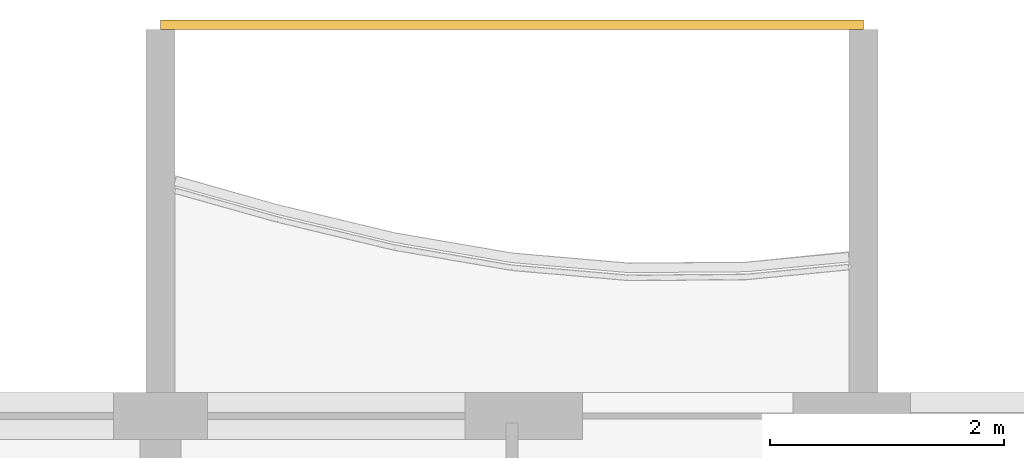
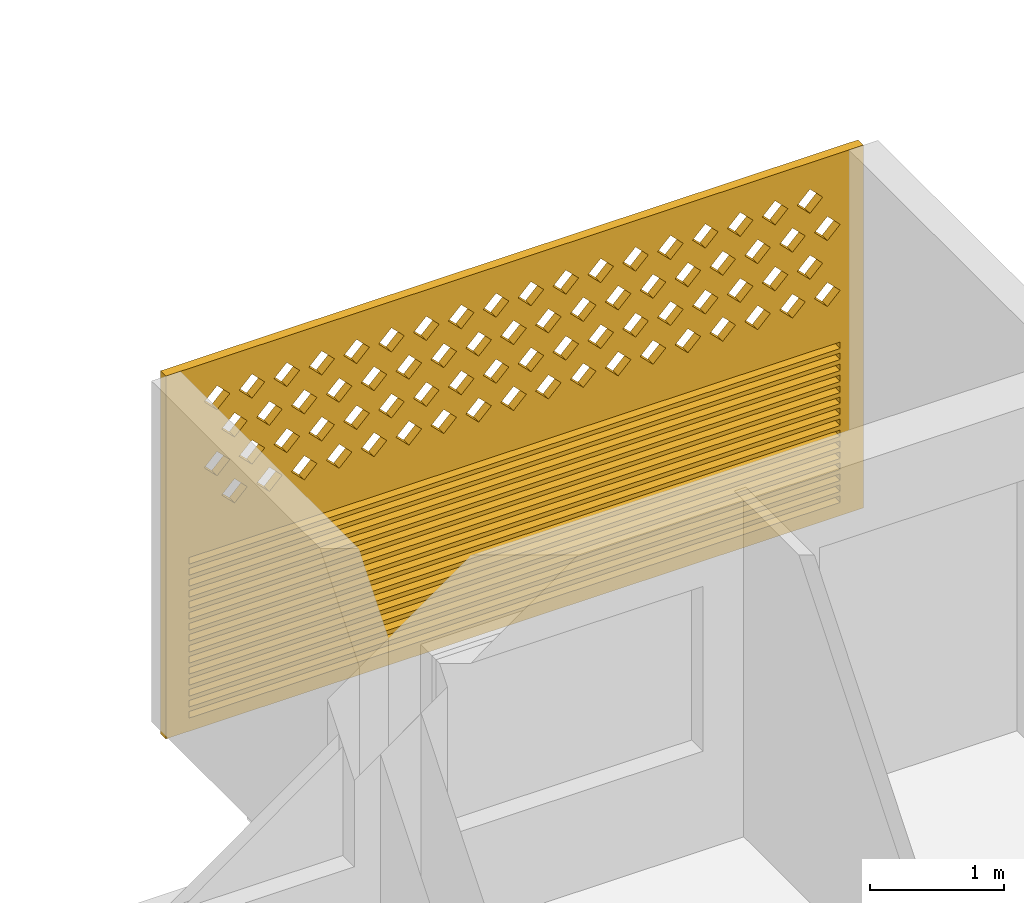
# One storey, part 24 of 27: 1 covering.
"""IFC4 building model written with IfcOpenShell, lengths in metres."""

import ifcopenshell
import ifcopenshell.guid

model = None  # the IFC model being written
_history = None  # IfcOwnerHistory: only IFC2X3 demands one
_inside = {}  # id of a spatial element -> (the spatial element, [elements in it])
_under = {}  # id of a project, library or spatial element -> (it, [spatial elements below it])
_declared = {}  # id of a project -> (the project, [libraries it declares])
_typed = {}  # id of a type object -> (the type object, [elements of that type])
_made_of = {}  # id of a material, layer set ... -> (it, [elements and type objects made of it])


def new_model(schema):
    """Start an empty IFC model of exactly this schema.

    Asked for "IFC4X3", IfcOpenShell would pick the latest addendum, in which some entities
    have other attributes; the version numbers below select the first issue.
    IFC2X3 requires an IfcOwnerHistory on every rooted entity: one is made here for all.
    """
    global model, _history
    if schema == "IFC4X3":
        model = ifcopenshell.file(schema_version=(4, 3, 0, 0))
    else:
        model = ifcopenshell.file(schema=schema)
    _inside.clear()
    _under.clear()
    _declared.clear()
    _typed.clear()
    _made_of.clear()
    _history = None
    if model.schema == "IFC2X3":
        org = make("IfcOrganization", Name="unknown")
        user = make(
            "IfcPersonAndOrganization",
            ThePerson=make("IfcPerson", FamilyName="unknown"),
            TheOrganization=org,
        )
        app = make(
            "IfcApplication",
            ApplicationDeveloper=org,
            Version="unknown",
            ApplicationFullName="unknown",
            ApplicationIdentifier="unknown",
        )
        _history = make(
            "IfcOwnerHistory",
            OwningUser=user,
            OwningApplication=app,
            ChangeAction="ADDED",
            CreationDate=0,
        )
    return model


def make(cls, **values):
    """One entity of the class cls with the attributes given. An attribute that is None is left unset."""
    return model.create_entity(
        cls, **{name: value for name, value in values.items() if value is not None}
    )


def rooted(cls, **values):
    """An entity with a GlobalId (a new one), such as an element, a storey or a relation."""
    return make(cls, GlobalId=ifcopenshell.guid.new(), OwnerHistory=_history, **values)


def si_unit(unit_type, name, prefix=None):
    """IfcSIUnit, for example si_unit("LENGTHUNIT", "METRE", prefix="MILLI")."""
    return make("IfcSIUnit", UnitType=unit_type, Prefix=prefix, Name=name)


def assignment(units):
    """IfcUnitAssignment: the units of a project."""
    return None if units is None else make("IfcUnitAssignment", Units=units)


def point(xyz):
    """IfcCartesianPoint."""
    return None if xyz is None else make("IfcCartesianPoint", Coordinates=xyz)


def direction(xyz):
    """IfcDirection."""
    return None if xyz is None else make("IfcDirection", DirectionRatios=xyz)


def frame(location, z_axis=None, x_axis=None):
    """IfcAxis2Placement3D, a coordinate frame: its origin and axes. An axis left out is left unset."""
    return make(
        "IfcAxis2Placement3D",
        Location=point(location),
        Axis=direction(z_axis),
        RefDirection=direction(x_axis),
    )


def origin():
    """The frame at (0, 0, 0) with its axes left unset."""
    return frame((0.0, 0.0, 0.0))


def place(relative_to, where):
    """IfcLocalPlacement: puts the frame where relative to a parent placement (None: the world)."""
    return make(
        "IfcLocalPlacement", PlacementRelTo=relative_to, RelativePlacement=where
    )


def context(
    kind, dimensions, precision=None, world=None, true_north=None, identifier=None
):
    """IfcGeometricRepresentationContext, for example the 3D "Model" context."""
    return make(
        "IfcGeometricRepresentationContext",
        ContextIdentifier=identifier,
        ContextType=kind,
        CoordinateSpaceDimension=dimensions,
        Precision=precision,
        WorldCoordinateSystem=world,
        TrueNorth=true_north,
    )


def subcontext(parent, identifier, kind, view, scale=None):
    """IfcGeometricRepresentationSubContext, for example "Body" below "Model"."""
    return make(
        "IfcGeometricRepresentationSubContext",
        ContextIdentifier=identifier,
        ContextType=kind,
        ParentContext=parent,
        TargetScale=scale,
        TargetView=view,
    )


def project(units=None, contexts=None):
    """IfcProject with its units and contexts."""
    return rooted(
        "IfcProject",
        Name="project",
        RepresentationContexts=contexts,
        UnitsInContext=assignment(units),
    )


def spatial(cls, under=None, at=None, **own):
    """A site, building, storey or space (cls), placed at a placement, below another one or the project."""
    s = rooted(cls, ObjectPlacement=at, **own)
    if under is not None:
        _under.setdefault(under.id(), (under, []))[1].append(s)
    return s


def polyline(points):
    """IfcPolyline through the points."""
    return make("IfcPolyline", Points=[point(p) for p in points])


def outline(outer, holes=None, kind="AREA"):
    """IfcArbitraryClosedProfileDef: a profile drawn as a closed curve; with holes, ...WithVoids."""
    if holes is None:
        return make("IfcArbitraryClosedProfileDef", ProfileType=kind, OuterCurve=outer)
    return make(
        "IfcArbitraryProfileDefWithVoids",
        ProfileType=kind,
        OuterCurve=outer,
        InnerCurves=holes,
    )


def extrude(swept, where, along, depth):
    """IfcExtrudedAreaSolid: the profile swept, set in the frame where, extruded along a direction by depth."""
    return make(
        "IfcExtrudedAreaSolid",
        SweptArea=swept,
        Position=where,
        ExtrudedDirection=direction(along),
        Depth=depth,
    )


def shape(context_of_items, identifier, shape_type, items):
    """IfcShapeRepresentation: the items that make up one representation, for example the "Body"."""
    return make(
        "IfcShapeRepresentation",
        ContextOfItems=context_of_items,
        RepresentationIdentifier=identifier,
        RepresentationType=shape_type,
        Items=items,
    )


def source(mapping_origin, context_of_items, identifier, shape_type, items):
    """IfcRepresentationMap: a shape defined once, which mapped items show again and again."""
    return make(
        "IfcRepresentationMap",
        MappingOrigin=mapping_origin,
        MappedRepresentation=shape(context_of_items, identifier, shape_type, items),
    )


def transform(
    local_origin,
    x_axis=None,
    y_axis=None,
    z_axis=None,
    scale=None,
    scale2=None,
    scale3=None,
    uniform=True,
):
    """IfcCartesianTransformationOperator3D, or its non-uniform kind. x_axis, y_axis, z_axis: its Axis1, 2, 3."""
    if uniform:
        return make(
            "IfcCartesianTransformationOperator3D",
            Axis1=direction(x_axis),
            Axis2=direction(y_axis),
            LocalOrigin=point(local_origin),
            Scale=scale,
            Axis3=direction(z_axis),
        )
    return make(
        "IfcCartesianTransformationOperator3DnonUniform",
        Axis1=direction(x_axis),
        Axis2=direction(y_axis),
        LocalOrigin=point(local_origin),
        Scale=scale,
        Axis3=direction(z_axis),
        Scale2=scale2,
        Scale3=scale3,
    )


def mapped(mapping_source, mapping_target):
    """IfcMappedItem: shows the shape of a source again, moved by a transform."""
    return make(
        "IfcMappedItem", MappingSource=mapping_source, MappingTarget=mapping_target
    )


def material(Name=None, Category=None):
    """IfcMaterial."""
    return make("IfcMaterial", Name=Name, Category=Category)


def material_profile(
    of_material, cross_section, Name=None, Category=None, Priority=None
):
    """IfcMaterialProfile: a cross section and its material."""
    return make(
        "IfcMaterialProfile",
        Name=Name,
        Material=of_material,
        Profile=cross_section,
        Priority=Priority,
        Category=Category,
    )


def profile_set(profiles, Name=None, composite=None):
    """IfcMaterialProfileSet."""
    return make(
        "IfcMaterialProfileSet",
        Name=Name,
        MaterialProfiles=profiles,
        CompositeProfile=composite,
    )


def made_of(thing, what):
    """Note that an element or type object is made of a material, layer set ...; save() writes the relation."""
    if what is not None:
        _made_of.setdefault(what.id(), (what, []))[1].append(thing)
    return thing


def type_object(cls, material=None, **own):
    """A type object (cls), such as IfcWallType, which elements share."""
    return made_of(rooted(cls, **own), material)


def element(
    cls,
    number,
    at=None,
    inside=None,
    cuts=None,
    type_object=None,
    material=None,
    context=None,
    identifier="Body",
    shape_type=None,
    held_by="IfcProductDefinitionShape",
    body=None,
    shapes=None,
    **own,
):
    """One element of the class cls, such as IfcWall. Its Tag is "e" and its number.

    at: its placement. inside: the storey or other place that contains it. cuts: it is an
    opening in that element (IfcRelVoidsElement). A single representation is given by context,
    identifier, shape_type and body (its items); several are given by shapes. held_by: the class
    of the entity that holds the representations. save() writes the other relations.
    """
    e = rooted(cls, Tag="e%d" % number, ObjectPlacement=at, **own)
    if body is not None:
        shapes = [shape(context, identifier, shape_type, body)]
    if shapes is not None:
        e.Representation = make(held_by, Representations=shapes)
    if inside is not None:
        _inside.setdefault(inside.id(), (inside, []))[1].append(e)
    if cuts is not None:
        rooted(
            "IfcRelVoidsElement", RelatingBuildingElement=cuts, RelatedOpeningElement=e
        )
    if type_object is not None:
        _typed.setdefault(type_object.id(), (type_object, []))[1].append(e)
    return made_of(e, material)


def aggregate(whole, parts):
    """IfcRelAggregates: a whole, such as a stair, and the parts it consists of."""
    return rooted("IfcRelAggregates", RelatingObject=whole, RelatedObjects=parts)


def save(model, path):
    """Write the relations noted so far, then the file.

    IfcRelAggregates (storeys below a building ...), IfcRelContainedInSpatialStructure (elements
    in a storey), IfcRelDefinesByType, IfcRelAssociatesMaterial and IfcRelDeclares: one each for
    every whole, place, type object, material and project.
    """
    for whole, parts in _under.values():
        aggregate(whole, parts)
    for where, things in _inside.values():
        rooted(
            "IfcRelContainedInSpatialStructure",
            RelatedElements=things,
            RelatingStructure=where,
        )
    for kind, things in _typed.values():
        rooted("IfcRelDefinesByType", RelatedObjects=things, RelatingType=kind)
    for what, things in _made_of.values():
        rooted("IfcRelAssociatesMaterial", RelatedObjects=things, RelatingMaterial=what)
    for by, libraries in _declared.values():
        rooted("IfcRelDeclares", RelatingContext=by, RelatedDefinitions=libraries)
    model.write(path)


model = new_model("IFC4")

# Units and contexts
model_context = context("Model", 3, precision=1e-05, world=origin(), true_north=direction((0.0, 1.0)))
body_context = subcontext(model_context, "Body", "Model", "MODEL_VIEW")
ifc_project = project(units=[si_unit("LENGTHUNIT", "METRE"), si_unit("AREAUNIT", "SQUARE_METRE"), si_unit("VOLUMEUNIT", "CUBIC_METRE"), si_unit("PLANEANGLEUNIT", "RADIAN"), si_unit("MASSUNIT", "GRAM", prefix="KILO")], contexts=[model_context])

# Site, building, storey
site_placement = place(None, origin())
site = spatial("IfcSite", under=ifc_project, at=site_placement, CompositionType="ELEMENT")
building_placement = place(site_placement, origin())
building = spatial("IfcBuilding", under=site, at=building_placement, Name="Poui Terraces", CompositionType="ELEMENT")
storey_placement = place(building_placement, frame((0.0, 0.0, 76.199951171875)))
storey = spatial("IfcBuildingStorey", under=building, at=storey_placement, Name="L20", CompositionType="ELEMENT", Elevation=76.199951171875)

# Covering
ifc_material = material(Name="Terracotta screen", Category="masonry")
ifc_material_profile = material_profile(ifc_material, outline(polyline([(-3.0, -1.64990234375), (3.0, -1.64990234375), (3.0, 1.64990234375), (-3.0, 1.64990234375), (-3.0, -1.64990234375)]), holes=[polyline([(-2.800048828125, 0.39990234375), (-2.68994140625, 0.2900390625), (-2.580078125, 0.39990234375), (-2.68994140625, 0.510009765625), (-2.800048828125, 0.39990234375)]), polyline([(-2.5, 0.39990234375), (-2.389892578125, 0.2900390625), (-2.280029296875, 0.39990234375), (-2.389892578125, 0.510009765625), (-2.5, 0.39990234375)]), polyline([(-2.199951171875, 0.39990234375), (-2.090087890625, 0.2900390625), (-1.97998046875, 0.39990234375), (-2.090087890625, 0.510009765625), (-2.199951171875, 0.39990234375)]), polyline([(-1.89990234375, 0.39990234375), (-1.7900390625, 0.2900390625), (-1.679931640625, 0.39990234375), (-1.7900390625, 0.510009765625), (-1.89990234375, 0.39990234375)]), polyline([(-1.60009765625, 0.39990234375), (-1.489990234375, 0.2900390625), (-1.3798828125, 0.39990234375), (-1.489990234375, 0.510009765625), (-1.60009765625, 0.39990234375)]), polyline([(-1.300048828125, 0.39990234375), (-1.18994140625, 0.2900390625), (-1.080078125, 0.39990234375), (-1.18994140625, 0.510009765625), (-1.300048828125, 0.39990234375)]), polyline([(-1.0, 0.39990234375), (-0.889892578125, 0.2900390625), (-0.780029296875, 0.39990234375), (-0.889892578125, 0.510009765625), (-1.0, 0.39990234375)]), polyline([(-0.699951171875, 0.39990234375), (-0.590087890625, 0.2900390625), (-0.47998046875, 0.39990234375), (-0.590087890625, 0.510009765625), (-0.699951171875, 0.39990234375)]), polyline([(-0.39990234375, 0.39990234375), (-0.2900390625, 0.2900390625), (-0.179931640625, 0.39990234375), (-0.2900390625, 0.510009765625), (-0.39990234375, 0.39990234375)]), polyline([(-0.10009765625, 0.39990234375), (0.010009765625, 0.2900390625), (0.1201171875, 0.39990234375), (0.010009765625, 0.510009765625), (-0.10009765625, 0.39990234375)]), polyline([(0.199951171875, 0.39990234375), (0.31005859375, 0.2900390625), (0.419921875, 0.39990234375), (0.31005859375, 0.510009765625), (0.199951171875, 0.39990234375)]), polyline([(0.5, 0.39990234375), (0.610107421875, 0.2900390625), (0.719970703125, 0.39990234375), (0.610107421875, 0.510009765625), (0.5, 0.39990234375)]), polyline([(0.800048828125, 0.39990234375), (0.909912109375, 0.2900390625), (1.02001953125, 0.39990234375), (0.909912109375, 0.510009765625), (0.800048828125, 0.39990234375)]), polyline([(1.10009765625, 0.39990234375), (1.2099609375, 0.2900390625), (1.320068359375, 0.39990234375), (1.2099609375, 0.510009765625), (1.10009765625, 0.39990234375)]), polyline([(1.39990234375, 0.39990234375), (1.510009765625, 0.2900390625), (1.6201171875, 0.39990234375), (1.510009765625, 0.510009765625), (1.39990234375, 0.39990234375)]), polyline([(1.699951171875, 0.39990234375), (1.81005859375, 0.2900390625), (1.919921875, 0.39990234375), (1.81005859375, 0.510009765625), (1.699951171875, 0.39990234375)]), polyline([(2.0, 0.39990234375), (2.110107421875, 0.2900390625), (2.219970703125, 0.39990234375), (2.110107421875, 0.510009765625), (2.0, 0.39990234375)]), polyline([(2.300048828125, 0.39990234375), (2.409912109375, 0.2900390625), (2.52001953125, 0.39990234375), (2.409912109375, 0.510009765625), (2.300048828125, 0.39990234375)]), polyline([(-2.64990234375, 0.699951171875), (-2.5400390625, 0.590087890625), (-2.429931640625, 0.699951171875), (-2.5400390625, 0.81005859375), (-2.64990234375, 0.699951171875)]), polyline([(-2.35009765625, 0.699951171875), (-2.239990234375, 0.590087890625), (-2.1298828125, 0.699951171875), (-2.239990234375, 0.81005859375), (-2.35009765625, 0.699951171875)]), polyline([(-2.050048828125, 0.699951171875), (-1.93994140625, 0.590087890625), (-1.830078125, 0.699951171875), (-1.93994140625, 0.81005859375), (-2.050048828125, 0.699951171875)]), polyline([(-1.75, 0.699951171875), (-1.639892578125, 0.590087890625), (-1.530029296875, 0.699951171875), (-1.639892578125, 0.81005859375), (-1.75, 0.699951171875)]), polyline([(-1.449951171875, 0.699951171875), (-1.340087890625, 0.590087890625), (-1.22998046875, 0.699951171875), (-1.340087890625, 0.81005859375), (-1.449951171875, 0.699951171875)]), polyline([(-1.14990234375, 0.699951171875), (-1.0400390625, 0.590087890625), (-0.929931640625, 0.699951171875), (-1.0400390625, 0.81005859375), (-1.14990234375, 0.699951171875)]), polyline([(-0.85009765625, 0.699951171875), (-0.739990234375, 0.590087890625), (-0.6298828125, 0.699951171875), (-0.739990234375, 0.81005859375), (-0.85009765625, 0.699951171875)]), polyline([(-0.550048828125, 0.699951171875), (-0.43994140625, 0.590087890625), (-0.330078125, 0.699951171875), (-0.43994140625, 0.81005859375), (-0.550048828125, 0.699951171875)]), polyline([(-0.25, 0.699951171875), (-0.139892578125, 0.590087890625), (-0.030029296875, 0.699951171875), (-0.139892578125, 0.81005859375), (-0.25, 0.699951171875)]), polyline([(0.050048828125, 0.699951171875), (0.159912109375, 0.590087890625), (0.27001953125, 0.699951171875), (0.159912109375, 0.81005859375), (0.050048828125, 0.699951171875)]), polyline([(0.35009765625, 0.699951171875), (0.4599609375, 0.590087890625), (0.570068359375, 0.699951171875), (0.4599609375, 0.81005859375), (0.35009765625, 0.699951171875)]), polyline([(0.64990234375, 0.699951171875), (0.760009765625, 0.590087890625), (0.8701171875, 0.699951171875), (0.760009765625, 0.81005859375), (0.64990234375, 0.699951171875)]), polyline([(0.949951171875, 0.699951171875), (1.06005859375, 0.590087890625), (1.169921875, 0.699951171875), (1.06005859375, 0.81005859375), (0.949951171875, 0.699951171875)]), polyline([(1.25, 0.699951171875), (1.360107421875, 0.590087890625), (1.469970703125, 0.699951171875), (1.360107421875, 0.81005859375), (1.25, 0.699951171875)]), polyline([(1.550048828125, 0.699951171875), (1.659912109375, 0.590087890625), (1.77001953125, 0.699951171875), (1.659912109375, 0.81005859375), (1.550048828125, 0.699951171875)]), polyline([(1.85009765625, 0.699951171875), (1.9599609375, 0.590087890625), (2.070068359375, 0.699951171875), (1.9599609375, 0.81005859375), (1.85009765625, 0.699951171875)]), polyline([(2.14990234375, 0.699951171875), (2.260009765625, 0.590087890625), (2.3701171875, 0.699951171875), (2.260009765625, 0.81005859375), (2.14990234375, 0.699951171875)]), polyline([(2.449951171875, 0.699951171875), (2.56005859375, 0.590087890625), (2.669921875, 0.699951171875), (2.56005859375, 0.81005859375), (2.449951171875, 0.699951171875)]), polyline([(-2.800048828125, 1.0), (-2.68994140625, 0.889892578125), (-2.580078125, 1.0), (-2.68994140625, 1.110107421875), (-2.800048828125, 1.0)]), polyline([(-2.5, 1.0), (-2.389892578125, 0.889892578125), (-2.280029296875, 1.0), (-2.389892578125, 1.110107421875), (-2.5, 1.0)]), polyline([(-2.199951171875, 1.0), (-2.090087890625, 0.889892578125), (-1.97998046875, 1.0), (-2.090087890625, 1.110107421875), (-2.199951171875, 1.0)]), polyline([(-1.89990234375, 1.0), (-1.7900390625, 0.889892578125), (-1.679931640625, 1.0), (-1.7900390625, 1.110107421875), (-1.89990234375, 1.0)]), polyline([(-1.60009765625, 1.0), (-1.489990234375, 0.889892578125), (-1.3798828125, 1.0), (-1.489990234375, 1.110107421875), (-1.60009765625, 1.0)]), polyline([(-1.300048828125, 1.0), (-1.18994140625, 0.889892578125), (-1.080078125, 1.0), (-1.18994140625, 1.110107421875), (-1.300048828125, 1.0)]), polyline([(-1.0, 1.0), (-0.889892578125, 0.889892578125), (-0.780029296875, 1.0), (-0.889892578125, 1.110107421875), (-1.0, 1.0)]), polyline([(-0.699951171875, 1.0), (-0.590087890625, 0.889892578125), (-0.47998046875, 1.0), (-0.590087890625, 1.110107421875), (-0.699951171875, 1.0)]), polyline([(-0.39990234375, 1.0), (-0.2900390625, 0.889892578125), (-0.179931640625, 1.0), (-0.2900390625, 1.110107421875), (-0.39990234375, 1.0)]), polyline([(-0.10009765625, 1.0), (0.010009765625, 0.889892578125), (0.1201171875, 1.0), (0.010009765625, 1.110107421875), (-0.10009765625, 1.0)]), polyline([(0.199951171875, 1.0), (0.31005859375, 0.889892578125), (0.419921875, 1.0), (0.31005859375, 1.110107421875), (0.199951171875, 1.0)]), polyline([(0.5, 1.0), (0.610107421875, 0.889892578125), (0.719970703125, 1.0), (0.610107421875, 1.110107421875), (0.5, 1.0)]), polyline([(0.800048828125, 1.0), (0.909912109375, 0.889892578125), (1.02001953125, 1.0), (0.909912109375, 1.110107421875), (0.800048828125, 1.0)]), polyline([(1.10009765625, 1.0), (1.2099609375, 0.889892578125), (1.320068359375, 1.0), (1.2099609375, 1.110107421875), (1.10009765625, 1.0)]), polyline([(1.39990234375, 1.0), (1.510009765625, 0.889892578125), (1.6201171875, 1.0), (1.510009765625, 1.110107421875), (1.39990234375, 1.0)]), polyline([(1.699951171875, 1.0), (1.81005859375, 0.889892578125), (1.919921875, 1.0), (1.81005859375, 1.110107421875), (1.699951171875, 1.0)]), polyline([(2.0, 1.0), (2.110107421875, 0.889892578125), (2.219970703125, 1.0), (2.110107421875, 1.110107421875), (2.0, 1.0)]), polyline([(2.300048828125, 1.0), (2.409912109375, 0.889892578125), (2.52001953125, 1.0), (2.409912109375, 1.110107421875), (2.300048828125, 1.0)]), polyline([(-2.64990234375, 1.300048828125), (-2.5400390625, 1.18994140625), (-2.429931640625, 1.300048828125), (-2.5400390625, 1.409912109375), (-2.64990234375, 1.300048828125)]), polyline([(-2.35009765625, 1.300048828125), (-2.239990234375, 1.18994140625), (-2.1298828125, 1.300048828125), (-2.239990234375, 1.409912109375), (-2.35009765625, 1.300048828125)]), polyline([(-2.050048828125, 1.300048828125), (-1.93994140625, 1.18994140625), (-1.830078125, 1.300048828125), (-1.93994140625, 1.409912109375), (-2.050048828125, 1.300048828125)]), polyline([(-1.75, 1.300048828125), (-1.639892578125, 1.18994140625), (-1.530029296875, 1.300048828125), (-1.639892578125, 1.409912109375), (-1.75, 1.300048828125)]), polyline([(-1.449951171875, 1.300048828125), (-1.340087890625, 1.18994140625), (-1.22998046875, 1.300048828125), (-1.340087890625, 1.409912109375), (-1.449951171875, 1.300048828125)]), polyline([(-1.14990234375, 1.300048828125), (-1.0400390625, 1.18994140625), (-0.929931640625, 1.300048828125), (-1.0400390625, 1.409912109375), (-1.14990234375, 1.300048828125)]), polyline([(-0.85009765625, 1.300048828125), (-0.739990234375, 1.18994140625), (-0.6298828125, 1.300048828125), (-0.739990234375, 1.409912109375), (-0.85009765625, 1.300048828125)]), polyline([(-0.550048828125, 1.300048828125), (-0.43994140625, 1.18994140625), (-0.330078125, 1.300048828125), (-0.43994140625, 1.409912109375), (-0.550048828125, 1.300048828125)]), polyline([(-0.25, 1.300048828125), (-0.139892578125, 1.18994140625), (-0.030029296875, 1.300048828125), (-0.139892578125, 1.409912109375), (-0.25, 1.300048828125)]), polyline([(0.050048828125, 1.300048828125), (0.159912109375, 1.18994140625), (0.27001953125, 1.300048828125), (0.159912109375, 1.409912109375), (0.050048828125, 1.300048828125)]), polyline([(0.35009765625, 1.300048828125), (0.4599609375, 1.18994140625), (0.570068359375, 1.300048828125), (0.4599609375, 1.409912109375), (0.35009765625, 1.300048828125)]), polyline([(0.64990234375, 1.300048828125), (0.760009765625, 1.18994140625), (0.8701171875, 1.300048828125), (0.760009765625, 1.409912109375), (0.64990234375, 1.300048828125)]), polyline([(0.949951171875, 1.300048828125), (1.06005859375, 1.18994140625), (1.169921875, 1.300048828125), (1.06005859375, 1.409912109375), (0.949951171875, 1.300048828125)]), polyline([(1.25, 1.300048828125), (1.360107421875, 1.18994140625), (1.469970703125, 1.300048828125), (1.360107421875, 1.409912109375), (1.25, 1.300048828125)]), polyline([(1.550048828125, 1.300048828125), (1.659912109375, 1.18994140625), (1.77001953125, 1.300048828125), (1.659912109375, 1.409912109375), (1.550048828125, 1.300048828125)]), polyline([(1.85009765625, 1.300048828125), (1.9599609375, 1.18994140625), (2.070068359375, 1.300048828125), (1.9599609375, 1.409912109375), (1.85009765625, 1.300048828125)]), polyline([(2.14990234375, 1.300048828125), (2.260009765625, 1.18994140625), (2.3701171875, 1.300048828125), (2.260009765625, 1.409912109375), (2.14990234375, 1.300048828125)]), polyline([(2.449951171875, 1.300048828125), (2.56005859375, 1.18994140625), (2.669921875, 1.300048828125), (2.56005859375, 1.409912109375), (2.449951171875, 1.300048828125)]), polyline([(-2.800048828125, -1.530029296875), (2.800048828125, -1.530029296875), (2.800048828125, -1.469970703125), (-2.800048828125, -1.469970703125), (-2.800048828125, -1.530029296875)]), polyline([(-2.800048828125, -1.429931640625), (2.800048828125, -1.429931640625), (2.800048828125, -1.3701171875), (-2.800048828125, -1.3701171875), (-2.800048828125, -1.429931640625)]), polyline([(-2.800048828125, -1.330078125), (2.800048828125, -1.330078125), (2.800048828125, -1.27001953125), (-2.800048828125, -1.27001953125), (-2.800048828125, -1.330078125)]), polyline([(-2.800048828125, -1.22998046875), (2.800048828125, -1.22998046875), (2.800048828125, -1.169921875), (-2.800048828125, -1.169921875), (-2.800048828125, -1.22998046875)]), polyline([(-2.800048828125, -1.1298828125), (2.800048828125, -1.1298828125), (2.800048828125, -1.070068359375), (-2.800048828125, -1.070068359375), (-2.800048828125, -1.1298828125)]), polyline([(-2.800048828125, -1.030029296875), (2.800048828125, -1.030029296875), (2.800048828125, -0.969970703125), (-2.800048828125, -0.969970703125), (-2.800048828125, -1.030029296875)]), polyline([(-2.800048828125, -0.929931640625), (2.800048828125, -0.929931640625), (2.800048828125, -0.8701171875), (-2.800048828125, -0.8701171875), (-2.800048828125, -0.929931640625)]), polyline([(-2.800048828125, -0.830078125), (2.800048828125, -0.830078125), (2.800048828125, -0.77001953125), (-2.800048828125, -0.77001953125), (-2.800048828125, -0.830078125)]), polyline([(-2.800048828125, -0.72998046875), (2.800048828125, -0.72998046875), (2.800048828125, -0.669921875), (-2.800048828125, -0.669921875), (-2.800048828125, -0.72998046875)]), polyline([(-2.800048828125, -0.6298828125), (2.800048828125, -0.6298828125), (2.800048828125, -0.570068359375), (-2.800048828125, -0.570068359375), (-2.800048828125, -0.6298828125)]), polyline([(-2.800048828125, -0.530029296875), (2.800048828125, -0.530029296875), (2.800048828125, -0.469970703125), (-2.800048828125, -0.469970703125), (-2.800048828125, -0.530029296875)]), polyline([(-2.800048828125, -0.429931640625), (2.800048828125, -0.429931640625), (2.800048828125, -0.3701171875), (-2.800048828125, -0.3701171875), (-2.800048828125, -0.429931640625)]), polyline([(-2.800048828125, -0.330078125), (2.800048828125, -0.330078125), (2.800048828125, -0.27001953125), (-2.800048828125, -0.27001953125), (-2.800048828125, -0.330078125)]), polyline([(-2.800048828125, -0.22998046875), (2.800048828125, -0.22998046875), (2.800048828125, -0.169921875), (-2.800048828125, -0.169921875), (-2.800048828125, -0.22998046875)]), polyline([(-2.800048828125, -0.1298828125), (2.800048828125, -0.1298828125), (2.800048828125, -0.070068359375), (-2.800048828125, -0.070068359375), (-2.800048828125, -0.1298828125)])]), Name="TERRACOTTA SCREEN AND JALOUSIE LOUVRE 6000X3300")
ifc_profile_set = profile_set([ifc_material_profile], Name="Terracotta screen")
covering_type = type_object("IfcCoveringType", Name="TERRACOTTA SCREEN AND JALOUSIE LOUVRE 6000X3300", PredefinedType="CLADDING", material=ifc_profile_set)
shared_shape = source(origin(), body_context, "Body", "SweptSolid", [
    extrude(outline(polyline([(-3.0, -1.64990234375), (3.0, -1.64990234375), (3.0, 1.64990234375), (-3.0, 1.64990234375), (-3.0, -1.64990234375)]), holes=[polyline([(-2.800048828125, 0.39990234375), (-2.68994140625, 0.2900390625), (-2.580078125, 0.39990234375), (-2.68994140625, 0.510009765625), (-2.800048828125, 0.39990234375)]), polyline([(-2.5, 0.39990234375), (-2.389892578125, 0.2900390625), (-2.280029296875, 0.39990234375), (-2.389892578125, 0.510009765625), (-2.5, 0.39990234375)]), polyline([(-2.199951171875, 0.39990234375), (-2.090087890625, 0.2900390625), (-1.97998046875, 0.39990234375), (-2.090087890625, 0.510009765625), (-2.199951171875, 0.39990234375)]), polyline([(-1.89990234375, 0.39990234375), (-1.7900390625, 0.2900390625), (-1.679931640625, 0.39990234375), (-1.7900390625, 0.510009765625), (-1.89990234375, 0.39990234375)]), polyline([(-1.60009765625, 0.39990234375), (-1.489990234375, 0.2900390625), (-1.3798828125, 0.39990234375), (-1.489990234375, 0.510009765625), (-1.60009765625, 0.39990234375)]), polyline([(-1.300048828125, 0.39990234375), (-1.18994140625, 0.2900390625), (-1.080078125, 0.39990234375), (-1.18994140625, 0.510009765625), (-1.300048828125, 0.39990234375)]), polyline([(-1.0, 0.39990234375), (-0.889892578125, 0.2900390625), (-0.780029296875, 0.39990234375), (-0.889892578125, 0.510009765625), (-1.0, 0.39990234375)]), polyline([(-0.699951171875, 0.39990234375), (-0.590087890625, 0.2900390625), (-0.47998046875, 0.39990234375), (-0.590087890625, 0.510009765625), (-0.699951171875, 0.39990234375)]), polyline([(-0.39990234375, 0.39990234375), (-0.2900390625, 0.2900390625), (-0.179931640625, 0.39990234375), (-0.2900390625, 0.510009765625), (-0.39990234375, 0.39990234375)]), polyline([(-0.10009765625, 0.39990234375), (0.010009765625, 0.2900390625), (0.1201171875, 0.39990234375), (0.010009765625, 0.510009765625), (-0.10009765625, 0.39990234375)]), polyline([(0.199951171875, 0.39990234375), (0.31005859375, 0.2900390625), (0.419921875, 0.39990234375), (0.31005859375, 0.510009765625), (0.199951171875, 0.39990234375)]), polyline([(0.5, 0.39990234375), (0.610107421875, 0.2900390625), (0.719970703125, 0.39990234375), (0.610107421875, 0.510009765625), (0.5, 0.39990234375)]), polyline([(0.800048828125, 0.39990234375), (0.909912109375, 0.2900390625), (1.02001953125, 0.39990234375), (0.909912109375, 0.510009765625), (0.800048828125, 0.39990234375)]), polyline([(1.10009765625, 0.39990234375), (1.2099609375, 0.2900390625), (1.320068359375, 0.39990234375), (1.2099609375, 0.510009765625), (1.10009765625, 0.39990234375)]), polyline([(1.39990234375, 0.39990234375), (1.510009765625, 0.2900390625), (1.6201171875, 0.39990234375), (1.510009765625, 0.510009765625), (1.39990234375, 0.39990234375)]), polyline([(1.699951171875, 0.39990234375), (1.81005859375, 0.2900390625), (1.919921875, 0.39990234375), (1.81005859375, 0.510009765625), (1.699951171875, 0.39990234375)]), polyline([(2.0, 0.39990234375), (2.110107421875, 0.2900390625), (2.219970703125, 0.39990234375), (2.110107421875, 0.510009765625), (2.0, 0.39990234375)]), polyline([(2.300048828125, 0.39990234375), (2.409912109375, 0.2900390625), (2.52001953125, 0.39990234375), (2.409912109375, 0.510009765625), (2.300048828125, 0.39990234375)]), polyline([(-2.64990234375, 0.699951171875), (-2.5400390625, 0.590087890625), (-2.429931640625, 0.699951171875), (-2.5400390625, 0.81005859375), (-2.64990234375, 0.699951171875)]), polyline([(-2.35009765625, 0.699951171875), (-2.239990234375, 0.590087890625), (-2.1298828125, 0.699951171875), (-2.239990234375, 0.81005859375), (-2.35009765625, 0.699951171875)]), polyline([(-2.050048828125, 0.699951171875), (-1.93994140625, 0.590087890625), (-1.830078125, 0.699951171875), (-1.93994140625, 0.81005859375), (-2.050048828125, 0.699951171875)]), polyline([(-1.75, 0.699951171875), (-1.639892578125, 0.590087890625), (-1.530029296875, 0.699951171875), (-1.639892578125, 0.81005859375), (-1.75, 0.699951171875)]), polyline([(-1.449951171875, 0.699951171875), (-1.340087890625, 0.590087890625), (-1.22998046875, 0.699951171875), (-1.340087890625, 0.81005859375), (-1.449951171875, 0.699951171875)]), polyline([(-1.14990234375, 0.699951171875), (-1.0400390625, 0.590087890625), (-0.929931640625, 0.699951171875), (-1.0400390625, 0.81005859375), (-1.14990234375, 0.699951171875)]), polyline([(-0.85009765625, 0.699951171875), (-0.739990234375, 0.590087890625), (-0.6298828125, 0.699951171875), (-0.739990234375, 0.81005859375), (-0.85009765625, 0.699951171875)]), polyline([(-0.550048828125, 0.699951171875), (-0.43994140625, 0.590087890625), (-0.330078125, 0.699951171875), (-0.43994140625, 0.81005859375), (-0.550048828125, 0.699951171875)]), polyline([(-0.25, 0.699951171875), (-0.139892578125, 0.590087890625), (-0.030029296875, 0.699951171875), (-0.139892578125, 0.81005859375), (-0.25, 0.699951171875)]), polyline([(0.050048828125, 0.699951171875), (0.159912109375, 0.590087890625), (0.27001953125, 0.699951171875), (0.159912109375, 0.81005859375), (0.050048828125, 0.699951171875)]), polyline([(0.35009765625, 0.699951171875), (0.4599609375, 0.590087890625), (0.570068359375, 0.699951171875), (0.4599609375, 0.81005859375), (0.35009765625, 0.699951171875)]), polyline([(0.64990234375, 0.699951171875), (0.760009765625, 0.590087890625), (0.8701171875, 0.699951171875), (0.760009765625, 0.81005859375), (0.64990234375, 0.699951171875)]), polyline([(0.949951171875, 0.699951171875), (1.06005859375, 0.590087890625), (1.169921875, 0.699951171875), (1.06005859375, 0.81005859375), (0.949951171875, 0.699951171875)]), polyline([(1.25, 0.699951171875), (1.360107421875, 0.590087890625), (1.469970703125, 0.699951171875), (1.360107421875, 0.81005859375), (1.25, 0.699951171875)]), polyline([(1.550048828125, 0.699951171875), (1.659912109375, 0.590087890625), (1.77001953125, 0.699951171875), (1.659912109375, 0.81005859375), (1.550048828125, 0.699951171875)]), polyline([(1.85009765625, 0.699951171875), (1.9599609375, 0.590087890625), (2.070068359375, 0.699951171875), (1.9599609375, 0.81005859375), (1.85009765625, 0.699951171875)]), polyline([(2.14990234375, 0.699951171875), (2.260009765625, 0.590087890625), (2.3701171875, 0.699951171875), (2.260009765625, 0.81005859375), (2.14990234375, 0.699951171875)]), polyline([(2.449951171875, 0.699951171875), (2.56005859375, 0.590087890625), (2.669921875, 0.699951171875), (2.56005859375, 0.81005859375), (2.449951171875, 0.699951171875)]), polyline([(-2.800048828125, 1.0), (-2.68994140625, 0.889892578125), (-2.580078125, 1.0), (-2.68994140625, 1.110107421875), (-2.800048828125, 1.0)]), polyline([(-2.5, 1.0), (-2.389892578125, 0.889892578125), (-2.280029296875, 1.0), (-2.389892578125, 1.110107421875), (-2.5, 1.0)]), polyline([(-2.199951171875, 1.0), (-2.090087890625, 0.889892578125), (-1.97998046875, 1.0), (-2.090087890625, 1.110107421875), (-2.199951171875, 1.0)]), polyline([(-1.89990234375, 1.0), (-1.7900390625, 0.889892578125), (-1.679931640625, 1.0), (-1.7900390625, 1.110107421875), (-1.89990234375, 1.0)]), polyline([(-1.60009765625, 1.0), (-1.489990234375, 0.889892578125), (-1.3798828125, 1.0), (-1.489990234375, 1.110107421875), (-1.60009765625, 1.0)]), polyline([(-1.300048828125, 1.0), (-1.18994140625, 0.889892578125), (-1.080078125, 1.0), (-1.18994140625, 1.110107421875), (-1.300048828125, 1.0)]), polyline([(-1.0, 1.0), (-0.889892578125, 0.889892578125), (-0.780029296875, 1.0), (-0.889892578125, 1.110107421875), (-1.0, 1.0)]), polyline([(-0.699951171875, 1.0), (-0.590087890625, 0.889892578125), (-0.47998046875, 1.0), (-0.590087890625, 1.110107421875), (-0.699951171875, 1.0)]), polyline([(-0.39990234375, 1.0), (-0.2900390625, 0.889892578125), (-0.179931640625, 1.0), (-0.2900390625, 1.110107421875), (-0.39990234375, 1.0)]), polyline([(-0.10009765625, 1.0), (0.010009765625, 0.889892578125), (0.1201171875, 1.0), (0.010009765625, 1.110107421875), (-0.10009765625, 1.0)]), polyline([(0.199951171875, 1.0), (0.31005859375, 0.889892578125), (0.419921875, 1.0), (0.31005859375, 1.110107421875), (0.199951171875, 1.0)]), polyline([(0.5, 1.0), (0.610107421875, 0.889892578125), (0.719970703125, 1.0), (0.610107421875, 1.110107421875), (0.5, 1.0)]), polyline([(0.800048828125, 1.0), (0.909912109375, 0.889892578125), (1.02001953125, 1.0), (0.909912109375, 1.110107421875), (0.800048828125, 1.0)]), polyline([(1.10009765625, 1.0), (1.2099609375, 0.889892578125), (1.320068359375, 1.0), (1.2099609375, 1.110107421875), (1.10009765625, 1.0)]), polyline([(1.39990234375, 1.0), (1.510009765625, 0.889892578125), (1.6201171875, 1.0), (1.510009765625, 1.110107421875), (1.39990234375, 1.0)]), polyline([(1.699951171875, 1.0), (1.81005859375, 0.889892578125), (1.919921875, 1.0), (1.81005859375, 1.110107421875), (1.699951171875, 1.0)]), polyline([(2.0, 1.0), (2.110107421875, 0.889892578125), (2.219970703125, 1.0), (2.110107421875, 1.110107421875), (2.0, 1.0)]), polyline([(2.300048828125, 1.0), (2.409912109375, 0.889892578125), (2.52001953125, 1.0), (2.409912109375, 1.110107421875), (2.300048828125, 1.0)]), polyline([(-2.64990234375, 1.300048828125), (-2.5400390625, 1.18994140625), (-2.429931640625, 1.300048828125), (-2.5400390625, 1.409912109375), (-2.64990234375, 1.300048828125)]), polyline([(-2.35009765625, 1.300048828125), (-2.239990234375, 1.18994140625), (-2.1298828125, 1.300048828125), (-2.239990234375, 1.409912109375), (-2.35009765625, 1.300048828125)]), polyline([(-2.050048828125, 1.300048828125), (-1.93994140625, 1.18994140625), (-1.830078125, 1.300048828125), (-1.93994140625, 1.409912109375), (-2.050048828125, 1.300048828125)]), polyline([(-1.75, 1.300048828125), (-1.639892578125, 1.18994140625), (-1.530029296875, 1.300048828125), (-1.639892578125, 1.409912109375), (-1.75, 1.300048828125)]), polyline([(-1.449951171875, 1.300048828125), (-1.340087890625, 1.18994140625), (-1.22998046875, 1.300048828125), (-1.340087890625, 1.409912109375), (-1.449951171875, 1.300048828125)]), polyline([(-1.14990234375, 1.300048828125), (-1.0400390625, 1.18994140625), (-0.929931640625, 1.300048828125), (-1.0400390625, 1.409912109375), (-1.14990234375, 1.300048828125)]), polyline([(-0.85009765625, 1.300048828125), (-0.739990234375, 1.18994140625), (-0.6298828125, 1.300048828125), (-0.739990234375, 1.409912109375), (-0.85009765625, 1.300048828125)]), polyline([(-0.550048828125, 1.300048828125), (-0.43994140625, 1.18994140625), (-0.330078125, 1.300048828125), (-0.43994140625, 1.409912109375), (-0.550048828125, 1.300048828125)]), polyline([(-0.25, 1.300048828125), (-0.139892578125, 1.18994140625), (-0.030029296875, 1.300048828125), (-0.139892578125, 1.409912109375), (-0.25, 1.300048828125)]), polyline([(0.050048828125, 1.300048828125), (0.159912109375, 1.18994140625), (0.27001953125, 1.300048828125), (0.159912109375, 1.409912109375), (0.050048828125, 1.300048828125)]), polyline([(0.35009765625, 1.300048828125), (0.4599609375, 1.18994140625), (0.570068359375, 1.300048828125), (0.4599609375, 1.409912109375), (0.35009765625, 1.300048828125)]), polyline([(0.64990234375, 1.300048828125), (0.760009765625, 1.18994140625), (0.8701171875, 1.300048828125), (0.760009765625, 1.409912109375), (0.64990234375, 1.300048828125)]), polyline([(0.949951171875, 1.300048828125), (1.06005859375, 1.18994140625), (1.169921875, 1.300048828125), (1.06005859375, 1.409912109375), (0.949951171875, 1.300048828125)]), polyline([(1.25, 1.300048828125), (1.360107421875, 1.18994140625), (1.469970703125, 1.300048828125), (1.360107421875, 1.409912109375), (1.25, 1.300048828125)]), polyline([(1.550048828125, 1.300048828125), (1.659912109375, 1.18994140625), (1.77001953125, 1.300048828125), (1.659912109375, 1.409912109375), (1.550048828125, 1.300048828125)]), polyline([(1.85009765625, 1.300048828125), (1.9599609375, 1.18994140625), (2.070068359375, 1.300048828125), (1.9599609375, 1.409912109375), (1.85009765625, 1.300048828125)]), polyline([(2.14990234375, 1.300048828125), (2.260009765625, 1.18994140625), (2.3701171875, 1.300048828125), (2.260009765625, 1.409912109375), (2.14990234375, 1.300048828125)]), polyline([(2.449951171875, 1.300048828125), (2.56005859375, 1.18994140625), (2.669921875, 1.300048828125), (2.56005859375, 1.409912109375), (2.449951171875, 1.300048828125)]), polyline([(-2.800048828125, -1.530029296875), (2.800048828125, -1.530029296875), (2.800048828125, -1.469970703125), (-2.800048828125, -1.469970703125), (-2.800048828125, -1.530029296875)]), polyline([(-2.800048828125, -1.429931640625), (2.800048828125, -1.429931640625), (2.800048828125, -1.3701171875), (-2.800048828125, -1.3701171875), (-2.800048828125, -1.429931640625)]), polyline([(-2.800048828125, -1.330078125), (2.800048828125, -1.330078125), (2.800048828125, -1.27001953125), (-2.800048828125, -1.27001953125), (-2.800048828125, -1.330078125)]), polyline([(-2.800048828125, -1.22998046875), (2.800048828125, -1.22998046875), (2.800048828125, -1.169921875), (-2.800048828125, -1.169921875), (-2.800048828125, -1.22998046875)]), polyline([(-2.800048828125, -1.1298828125), (2.800048828125, -1.1298828125), (2.800048828125, -1.070068359375), (-2.800048828125, -1.070068359375), (-2.800048828125, -1.1298828125)]), polyline([(-2.800048828125, -1.030029296875), (2.800048828125, -1.030029296875), (2.800048828125, -0.969970703125), (-2.800048828125, -0.969970703125), (-2.800048828125, -1.030029296875)]), polyline([(-2.800048828125, -0.929931640625), (2.800048828125, -0.929931640625), (2.800048828125, -0.8701171875), (-2.800048828125, -0.8701171875), (-2.800048828125, -0.929931640625)]), polyline([(-2.800048828125, -0.830078125), (2.800048828125, -0.830078125), (2.800048828125, -0.77001953125), (-2.800048828125, -0.77001953125), (-2.800048828125, -0.830078125)]), polyline([(-2.800048828125, -0.72998046875), (2.800048828125, -0.72998046875), (2.800048828125, -0.669921875), (-2.800048828125, -0.669921875), (-2.800048828125, -0.72998046875)]), polyline([(-2.800048828125, -0.6298828125), (2.800048828125, -0.6298828125), (2.800048828125, -0.570068359375), (-2.800048828125, -0.570068359375), (-2.800048828125, -0.6298828125)]), polyline([(-2.800048828125, -0.530029296875), (2.800048828125, -0.530029296875), (2.800048828125, -0.469970703125), (-2.800048828125, -0.469970703125), (-2.800048828125, -0.530029296875)]), polyline([(-2.800048828125, -0.429931640625), (2.800048828125, -0.429931640625), (2.800048828125, -0.3701171875), (-2.800048828125, -0.3701171875), (-2.800048828125, -0.429931640625)]), polyline([(-2.800048828125, -0.330078125), (2.800048828125, -0.330078125), (2.800048828125, -0.27001953125), (-2.800048828125, -0.27001953125), (-2.800048828125, -0.330078125)]), polyline([(-2.800048828125, -0.22998046875), (2.800048828125, -0.22998046875), (2.800048828125, -0.169921875), (-2.800048828125, -0.169921875), (-2.800048828125, -0.22998046875)]), polyline([(-2.800048828125, -0.1298828125), (2.800048828125, -0.1298828125), (2.800048828125, -0.070068359375), (-2.800048828125, -0.070068359375), (-2.800048828125, -0.1298828125)])]), origin(), (0.0, 0.0, 1.0), 0.080078125),
])
covering_placement = place(storey_placement, frame((69.0, 46.89990234375, 1.449951171875), z_axis=(0.0, 1.0, 0.0), x_axis=(-1.0, 0.0, 0.0)))
element("IfcCovering", 1, at=covering_placement, inside=storey, type_object=covering_type, Name="SOLAR SCREEN AND JALOUSIE LOUVRE", PredefinedType="CLADDING", context=body_context, shape_type="MappedRepresentation", body=[
    mapped(shared_shape, transform((0.0, 0.0, 0.0))),
])

save(model, "model.ifc")
